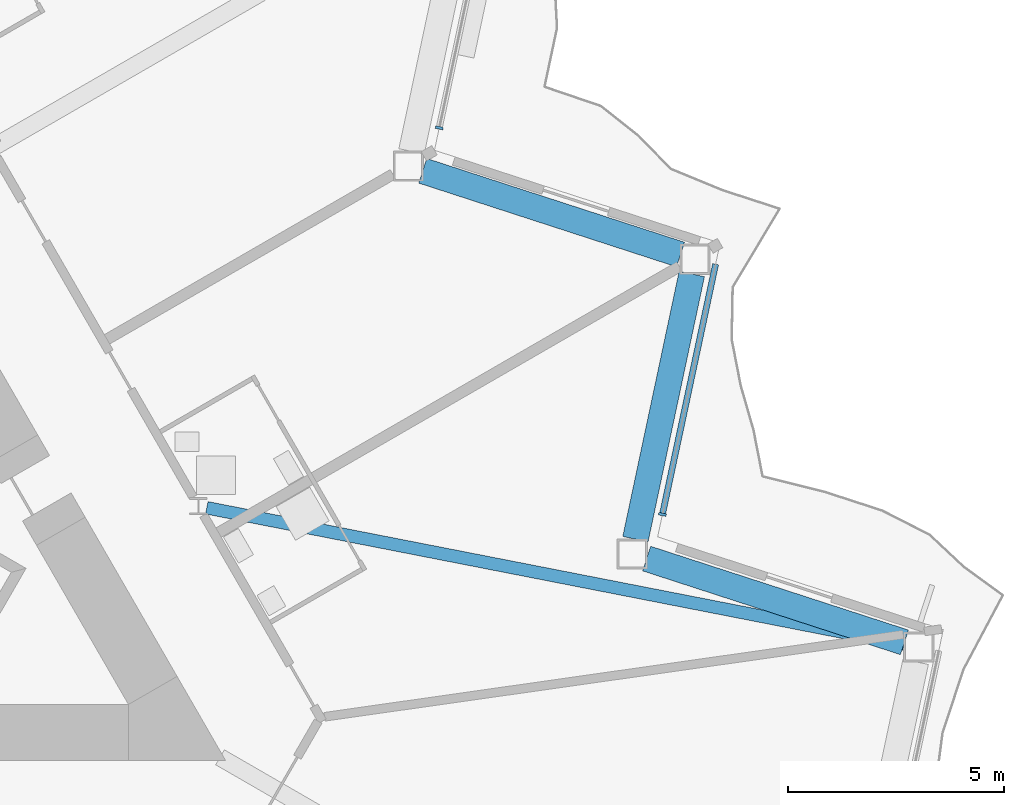
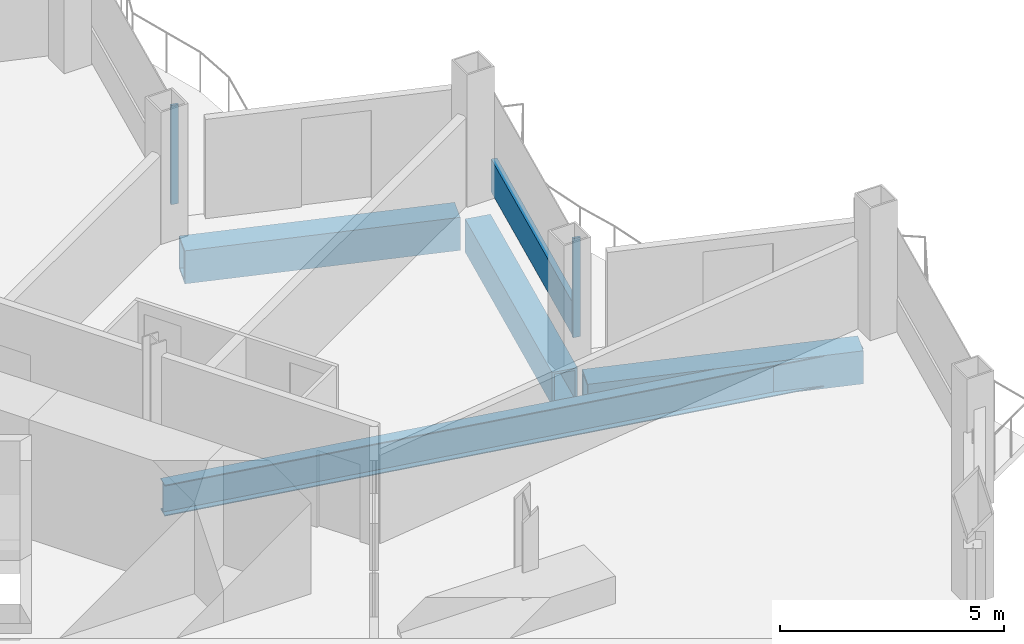
# One storey, part 7 of 24: 4 beams, 3 members, 2 elements without a shape of their own.
"""IFC4 building model written with IfcOpenShell, lengths in metres."""

from ifc_helpers import new_model, si_unit, direction, frame, origin, origin_2d, place, context, subcontext, project, spatial, rectangle, hollow_rectangle, i_section, extrude, material, layer, layer_set, material_profile, profile_set, type_object, element, aggregate, save


model = new_model("IFC4")

# Units and contexts
model_context = context("Model", 3, precision=1e-05, world=origin(), true_north=direction((0.0, 1.0)))
body_context = subcontext(model_context, "Body", "Model", "MODEL_VIEW")
ifc_project = project(units=[si_unit("LENGTHUNIT", "METRE"), si_unit("AREAUNIT", "SQUARE_METRE"), si_unit("VOLUMEUNIT", "CUBIC_METRE"), si_unit("PLANEANGLEUNIT", "RADIAN"), si_unit("MASSUNIT", "GRAM", prefix="KILO")], contexts=[model_context])

# Site, building, storey
site_placement = place(None, origin())
site = spatial("IfcSite", under=ifc_project, at=site_placement, CompositionType="ELEMENT")
building_placement = place(site_placement, origin())
building = spatial("IfcBuilding", under=site, at=building_placement, Name="Cormorant Prow Tower", CompositionType="ELEMENT")
storey_placement = place(building_placement, frame((0.0, 0.0, 231.0)))
storey = spatial("IfcBuildingStorey", under=building, at=storey_placement, Name="L50", CompositionType="ELEMENT", Elevation=231.0)

# Beams
ifc_material_1 = material(Name="Structural steel ASTM A572 Gr 50", Category="steel")
ifc_material_profile_1 = material_profile(ifc_material_1, hollow_rectangle(XDim=0.60009765625, YDim=0.89990234375, WallThickness=0.06005859375, at=origin_2d()), Name="Box 900x600x60")
ifc_profile_set_1 = profile_set([ifc_material_profile_1], Name="Structural steel ASTM A572 Gr 50")
beam_type_1 = type_object("IfcBeamType", Name="Belt truss top chord 900x600x60", PredefinedType="BEAM", material=ifc_profile_set_1)
for number, where, z_axis, x_axis, name in (
    (1, (30.730224609375, -5.9208984375, -0.800048828125), (-0.951061771288, 0.309000820701, 0.0), (-0.309000820701, -0.951061771288, 0.0), "Belt truss top chord TC2 ENE01-ENE02 L50"),
    (2, (24.49609375, -3.529296875, -0.800048828125), (0.207941499013, 0.978141264331, 0.0), (-0.978141264331, 0.207941499013, 0.0), "Belt truss top chord TC2 ENE02-ENE03 L50"),
    (3, (25.5419921875, 3.0654296875, -0.800048828125), (-0.951061771288, 0.309000820701, 0.0), (-0.309000820701, -0.951061771288, 0.0), "Belt truss top chord TC2 ENE03-ENE04 L50"),
):
    element("IfcBeam", number, at=place(storey_placement, frame(where, z_axis=z_axis, x_axis=x_axis)), inside=storey, type_object=beam_type_1, Name=name, PredefinedType="BEAM", context=body_context, shape_type="SweptSolid", body=[
        extrude(hollow_rectangle(XDim=0.60009765625, YDim=0.89990234375, WallThickness=0.06005859375, at=origin_2d()), origin(), (0.0, 0.0, 1.0), 6.28125),
    ])

# Curtain wall, member
ifc_material_2 = material(Name="Aluminium 6063-T6", Category="aluminium")
ifc_layer = layer(ifc_material_2, 0.179931640625)
ifc_layer_set = layer_set([ifc_layer], Name="Aluminium 6063-T6")
curtain_wall_type = type_object("IfcCurtainWallType", Name="Hotel unitised curtain wall 180", PredefinedType="NOTDEFINED", material=ifc_layer_set)
curtain_wall_1_placement = place(storey_placement, origin())
curtain_wall_1 = element("IfcCurtainWall", 4, at=curtain_wall_1_placement, inside=storey, type_object=curtain_wall_type, Name="Hotel curtain wall ENE02", PredefinedType="NOTDEFINED")
ifc_material_3 = material(Name="Aluminium 6063-T6", Category="aluminium")
ifc_material_profile_2 = material_profile(ifc_material_3, rectangle(XDim=0.179931640625, YDim=0.06005859375, at=origin_2d()), Name="Hotel mullion 60x180")
ifc_profile_set_2 = profile_set([ifc_material_profile_2], Name="Aluminium 6063-T6")
member_type_1 = type_object("IfcMemberType", Name="Hotel mullion 60x180", PredefinedType="MULLION", material=ifc_profile_set_2)
member_1_placement = place(storey_placement, frame((25.1220703125, -2.9560546875, 0.0), z_axis=(0.0, 0.0, 1.0), x_axis=(-0.978147581019, 0.207911783569, 0.0)))
member_1 = element("IfcMember", 5, at=member_1_placement, type_object=member_type_1, Name="Hotel mullion ENE02", PredefinedType="MULLION", context=body_context, shape_type="SweptSolid", body=[
    extrude(rectangle(XDim=0.179931640625, YDim=0.06005859375, at=origin_2d()), origin(), (0.0, 0.0, 1.0), 2.700927734375),
])

curtain_wall_2_placement = place(storey_placement, origin())
curtain_wall_2 = element("IfcCurtainWall", 6, at=curtain_wall_2_placement, inside=storey, type_object=curtain_wall_type, Name="Hotel curtain wall ENE04", PredefinedType="NOTDEFINED")
member_2_placement = place(storey_placement, frame((19.949951171875, 6.001708984375, 0.0), z_axis=(0.0, 0.0, 1.0), x_axis=(-0.978147604029, 0.207911675316, 0.0)))
member_2 = element("IfcMember", 7, at=member_2_placement, type_object=member_type_1, Name="Hotel mullion ENE04", PredefinedType="MULLION", context=body_context, shape_type="SweptSolid", body=[
    extrude(rectangle(XDim=0.179931640625, YDim=0.06005859375, at=origin_2d()), origin(), (0.0, 0.0, 1.0), 2.700927734375),
])
aggregate(curtain_wall_2, [member_2])

# Member
ifc_material_4 = material(Name="Terracotta", Category="masonry")
ifc_material_profile_3 = material_profile(ifc_material_4, rectangle(XDim=0.139892578125, YDim=0.89990234375, at=origin_2d()), Name="Hotel terracotta spandrel rail 140x900")
ifc_profile_set_3 = profile_set([ifc_material_profile_3], Name="Terracotta")
member_type_2 = type_object("IfcMemberType", Name="Hotel terracotta spandrel rail 140x900", PredefinedType="USERDEFINED", material=ifc_profile_set_3)
member_3_placement = place(storey_placement, frame((25.128173828125, -2.9267578125, 0.449951171875), z_axis=(0.207900345408, 0.978150012206, 0.0), x_axis=(-0.978150012206, 0.207900345408, 0.0)))
member_3 = element("IfcMember", 8, at=member_3_placement, type_object=member_type_2, Name="Hotel spandrel rail ENE02", ObjectType="TRANSOM", PredefinedType="USERDEFINED", context=body_context, shape_type="SweptSolid", body=[
    extrude(rectangle(XDim=0.139892578125, YDim=0.89990234375, at=origin_2d()), origin(), (0.0, 0.0, 1.0), 5.8974609375),
])

aggregate(curtain_wall_1, [member_1, member_3])

# Beam
ifc_material_5 = material(Name="Structural steel ASTM A992 Gr 50", Category="steel")
ifc_material_profile_4 = material_profile(ifc_material_5, i_section(OverallWidth=0.29296875, OverallDepth=0.845703125, WebThickness=0.015380859375, FlangeThickness=0.0244140625, at=origin_2d()), Name="W33x141")
ifc_profile_set_4 = profile_set([ifc_material_profile_4], Name="Structural steel ASTM A992 Gr 50")
beam_type_2 = type_object("IfcBeamType", Name="Radial floor beam W33x141", PredefinedType="BEAM", material=ifc_profile_set_4)
beam_placement = place(storey_placement, frame((14.5634765625, -2.80322265625, -0.77294921875), z_axis=(0.981419133752, -0.191876220269, 0.0), x_axis=(0.191876220269, 0.981419133752, 0.0)))
element("IfcBeam", 9, at=beam_placement, inside=storey, type_object=beam_type_2, Name="Radial floor beam FB2 10 L50", PredefinedType="BEAM", context=body_context, shape_type="SweptSolid", body=[
    extrude(i_section(OverallWidth=0.29296875, OverallDepth=0.845703125, WebThickness=0.015380859375, FlangeThickness=0.0244140625, at=origin_2d()), origin(), (0.0, 0.0, 1.0), 16.462158203125),
])

save(model, "model.ifc")
